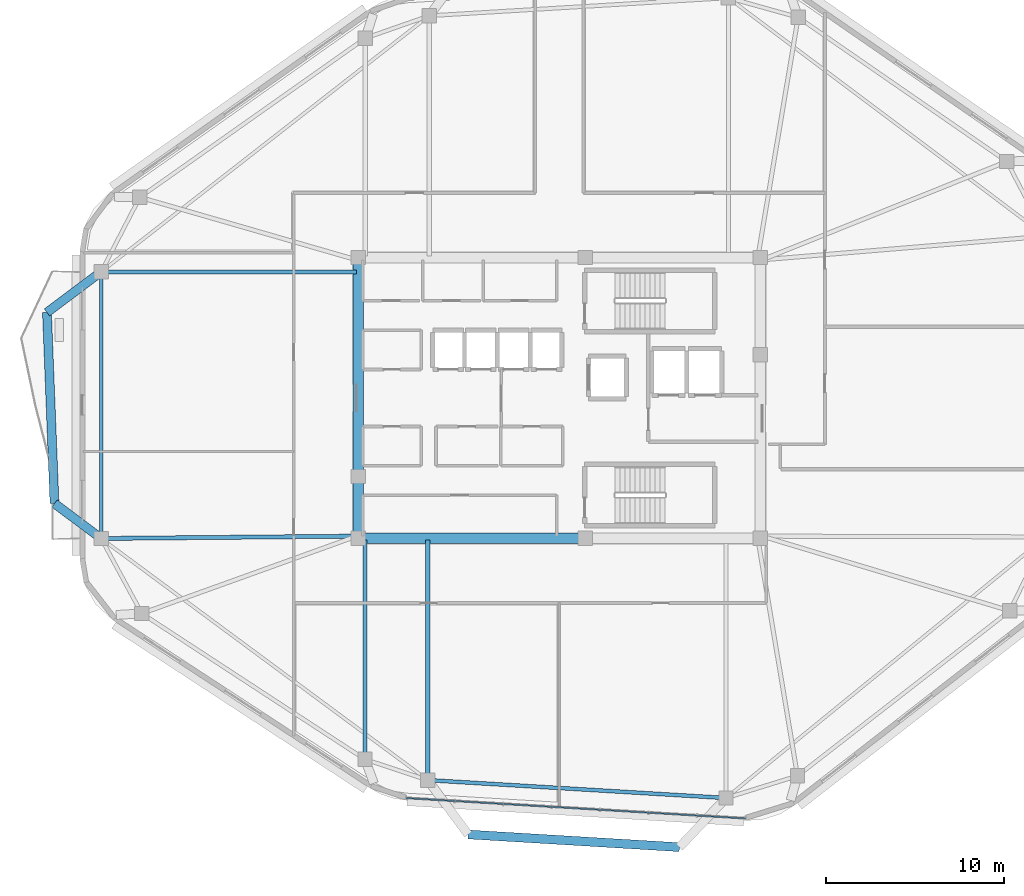
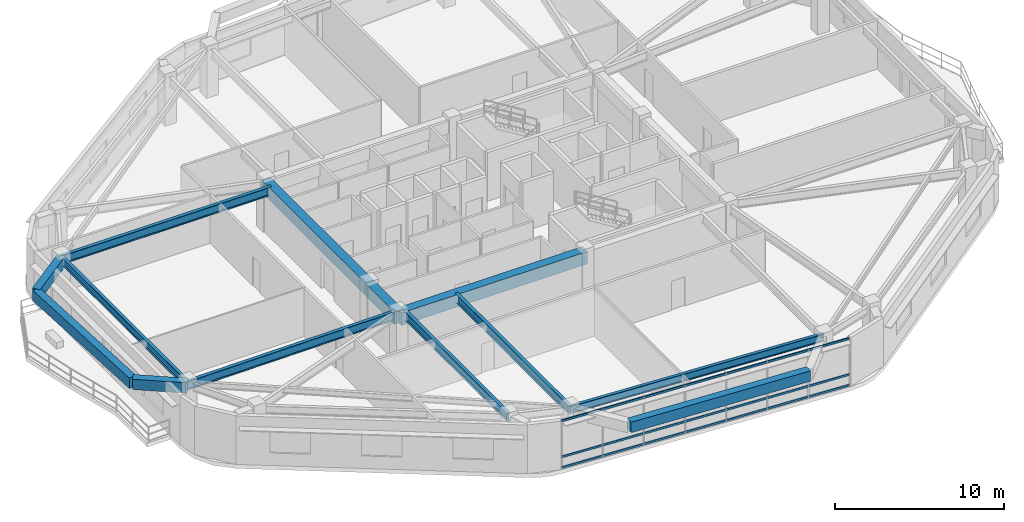
# One storey, part 3 of 12: 13 beams, 3 members, 1 element without a shape of its own.
"""IFC4 building model written with IfcOpenShell, lengths in metres."""

import ifcopenshell
import ifcopenshell.guid

model = None  # the IFC model being written
_history = None  # IfcOwnerHistory: only IFC2X3 demands one
_inside = {}  # id of a spatial element -> (the spatial element, [elements in it])
_under = {}  # id of a project, library or spatial element -> (it, [spatial elements below it])
_declared = {}  # id of a project -> (the project, [libraries it declares])
_typed = {}  # id of a type object -> (the type object, [elements of that type])
_made_of = {}  # id of a material, layer set ... -> (it, [elements and type objects made of it])


def new_model(schema):
    """Start an empty IFC model of exactly this schema.

    Asked for "IFC4X3", IfcOpenShell would pick the latest addendum, in which some entities
    have other attributes; the version numbers below select the first issue.
    IFC2X3 requires an IfcOwnerHistory on every rooted entity: one is made here for all.
    """
    global model, _history
    if schema == "IFC4X3":
        model = ifcopenshell.file(schema_version=(4, 3, 0, 0))
    else:
        model = ifcopenshell.file(schema=schema)
    _inside.clear()
    _under.clear()
    _declared.clear()
    _typed.clear()
    _made_of.clear()
    _history = None
    if model.schema == "IFC2X3":
        org = make("IfcOrganization", Name="unknown")
        user = make(
            "IfcPersonAndOrganization",
            ThePerson=make("IfcPerson", FamilyName="unknown"),
            TheOrganization=org,
        )
        app = make(
            "IfcApplication",
            ApplicationDeveloper=org,
            Version="unknown",
            ApplicationFullName="unknown",
            ApplicationIdentifier="unknown",
        )
        _history = make(
            "IfcOwnerHistory",
            OwningUser=user,
            OwningApplication=app,
            ChangeAction="ADDED",
            CreationDate=0,
        )
    return model


def make(cls, **values):
    """One entity of the class cls with the attributes given. An attribute that is None is left unset."""
    return model.create_entity(
        cls, **{name: value for name, value in values.items() if value is not None}
    )


def rooted(cls, **values):
    """An entity with a GlobalId (a new one), such as an element, a storey or a relation."""
    return make(cls, GlobalId=ifcopenshell.guid.new(), OwnerHistory=_history, **values)


def si_unit(unit_type, name, prefix=None):
    """IfcSIUnit, for example si_unit("LENGTHUNIT", "METRE", prefix="MILLI")."""
    return make("IfcSIUnit", UnitType=unit_type, Prefix=prefix, Name=name)


def assignment(units):
    """IfcUnitAssignment: the units of a project."""
    return None if units is None else make("IfcUnitAssignment", Units=units)


def point(xyz):
    """IfcCartesianPoint."""
    return None if xyz is None else make("IfcCartesianPoint", Coordinates=xyz)


def direction(xyz):
    """IfcDirection."""
    return None if xyz is None else make("IfcDirection", DirectionRatios=xyz)


def frame(location, z_axis=None, x_axis=None):
    """IfcAxis2Placement3D, a coordinate frame: its origin and axes. An axis left out is left unset."""
    return make(
        "IfcAxis2Placement3D",
        Location=point(location),
        Axis=direction(z_axis),
        RefDirection=direction(x_axis),
    )


def frame_2d(location, x_axis=None):
    """IfcAxis2Placement2D, a coordinate frame in the plane: its origin and x axis."""
    return make(
        "IfcAxis2Placement2D", Location=point(location), RefDirection=direction(x_axis)
    )


def origin():
    """The frame at (0, 0, 0) with its axes left unset."""
    return frame((0.0, 0.0, 0.0))


def origin_2d():
    """The frame at (0, 0) in the plane with its x axis left unset."""
    return frame_2d((0.0, 0.0))


def place(relative_to, where):
    """IfcLocalPlacement: puts the frame where relative to a parent placement (None: the world)."""
    return make(
        "IfcLocalPlacement", PlacementRelTo=relative_to, RelativePlacement=where
    )


def context(
    kind, dimensions, precision=None, world=None, true_north=None, identifier=None
):
    """IfcGeometricRepresentationContext, for example the 3D "Model" context."""
    return make(
        "IfcGeometricRepresentationContext",
        ContextIdentifier=identifier,
        ContextType=kind,
        CoordinateSpaceDimension=dimensions,
        Precision=precision,
        WorldCoordinateSystem=world,
        TrueNorth=true_north,
    )


def subcontext(parent, identifier, kind, view, scale=None):
    """IfcGeometricRepresentationSubContext, for example "Body" below "Model"."""
    return make(
        "IfcGeometricRepresentationSubContext",
        ContextIdentifier=identifier,
        ContextType=kind,
        ParentContext=parent,
        TargetScale=scale,
        TargetView=view,
    )


def project(units=None, contexts=None):
    """IfcProject with its units and contexts."""
    return rooted(
        "IfcProject",
        Name="project",
        RepresentationContexts=contexts,
        UnitsInContext=assignment(units),
    )


def spatial(cls, under=None, at=None, **own):
    """A site, building, storey or space (cls), placed at a placement, below another one or the project."""
    s = rooted(cls, ObjectPlacement=at, **own)
    if under is not None:
        _under.setdefault(under.id(), (under, []))[1].append(s)
    return s


def profile(cls, at=None, kind="AREA", **sizes):
    """A parametric profile (cls). Its sizes go by their IFC names, for example OverallWidth=200.0."""
    return make(cls, ProfileType=kind, Position=at, **sizes)


def rectangle(**sizes):
    """IfcRectangleProfileDef."""
    return profile("IfcRectangleProfileDef", **sizes)


def hollow_rectangle(**sizes):
    """IfcRectangleHollowProfileDef."""
    return profile("IfcRectangleHollowProfileDef", **sizes)


def i_section(**sizes):
    """IfcIShapeProfileDef."""
    return profile("IfcIShapeProfileDef", **sizes)


def extrude(swept, where, along, depth):
    """IfcExtrudedAreaSolid: the profile swept, set in the frame where, extruded along a direction by depth."""
    return make(
        "IfcExtrudedAreaSolid",
        SweptArea=swept,
        Position=where,
        ExtrudedDirection=direction(along),
        Depth=depth,
    )


def shape(context_of_items, identifier, shape_type, items):
    """IfcShapeRepresentation: the items that make up one representation, for example the "Body"."""
    return make(
        "IfcShapeRepresentation",
        ContextOfItems=context_of_items,
        RepresentationIdentifier=identifier,
        RepresentationType=shape_type,
        Items=items,
    )


def material(Name=None, Category=None):
    """IfcMaterial."""
    return make("IfcMaterial", Name=Name, Category=Category)


def material_profile(
    of_material, cross_section, Name=None, Category=None, Priority=None
):
    """IfcMaterialProfile: a cross section and its material."""
    return make(
        "IfcMaterialProfile",
        Name=Name,
        Material=of_material,
        Profile=cross_section,
        Priority=Priority,
        Category=Category,
    )


def profile_set(profiles, Name=None, composite=None):
    """IfcMaterialProfileSet."""
    return make(
        "IfcMaterialProfileSet",
        Name=Name,
        MaterialProfiles=profiles,
        CompositeProfile=composite,
    )


def made_of(thing, what):
    """Note that an element or type object is made of a material, layer set ...; save() writes the relation."""
    if what is not None:
        _made_of.setdefault(what.id(), (what, []))[1].append(thing)
    return thing


def type_object(cls, material=None, **own):
    """A type object (cls), such as IfcWallType, which elements share."""
    return made_of(rooted(cls, **own), material)


def element(
    cls,
    number,
    at=None,
    inside=None,
    cuts=None,
    type_object=None,
    material=None,
    context=None,
    identifier="Body",
    shape_type=None,
    held_by="IfcProductDefinitionShape",
    body=None,
    shapes=None,
    **own,
):
    """One element of the class cls, such as IfcWall. Its Tag is "e" and its number.

    at: its placement. inside: the storey or other place that contains it. cuts: it is an
    opening in that element (IfcRelVoidsElement). A single representation is given by context,
    identifier, shape_type and body (its items); several are given by shapes. held_by: the class
    of the entity that holds the representations. save() writes the other relations.
    """
    e = rooted(cls, Tag="e%d" % number, ObjectPlacement=at, **own)
    if body is not None:
        shapes = [shape(context, identifier, shape_type, body)]
    if shapes is not None:
        e.Representation = make(held_by, Representations=shapes)
    if inside is not None:
        _inside.setdefault(inside.id(), (inside, []))[1].append(e)
    if cuts is not None:
        rooted(
            "IfcRelVoidsElement", RelatingBuildingElement=cuts, RelatedOpeningElement=e
        )
    if type_object is not None:
        _typed.setdefault(type_object.id(), (type_object, []))[1].append(e)
    return made_of(e, material)


def aggregate(whole, parts):
    """IfcRelAggregates: a whole, such as a stair, and the parts it consists of."""
    return rooted("IfcRelAggregates", RelatingObject=whole, RelatedObjects=parts)


def save(model, path):
    """Write the relations noted so far, then the file.

    IfcRelAggregates (storeys below a building ...), IfcRelContainedInSpatialStructure (elements
    in a storey), IfcRelDefinesByType, IfcRelAssociatesMaterial and IfcRelDeclares: one each for
    every whole, place, type object, material and project.
    """
    for whole, parts in _under.values():
        aggregate(whole, parts)
    for where, things in _inside.values():
        rooted(
            "IfcRelContainedInSpatialStructure",
            RelatedElements=things,
            RelatingStructure=where,
        )
    for kind, things in _typed.values():
        rooted("IfcRelDefinesByType", RelatedObjects=things, RelatingType=kind)
    for what, things in _made_of.values():
        rooted("IfcRelAssociatesMaterial", RelatedObjects=things, RelatingMaterial=what)
    for by, libraries in _declared.values():
        rooted("IfcRelDeclares", RelatingContext=by, RelatedDefinitions=libraries)
    model.write(path)


model = new_model("IFC4")

# Units and contexts
model_context = context("Model", 3, precision=1e-05, world=origin(), true_north=direction((0.0, 1.0)))
body_context = subcontext(model_context, "Body", "Model", "MODEL_VIEW")
ifc_project = project(units=[si_unit("LENGTHUNIT", "METRE"), si_unit("AREAUNIT", "SQUARE_METRE"), si_unit("VOLUMEUNIT", "CUBIC_METRE"), si_unit("PLANEANGLEUNIT", "RADIAN"), si_unit("MASSUNIT", "GRAM", prefix="KILO")], contexts=[model_context])

# Site, building, storey
site_placement = place(None, origin())
site = spatial("IfcSite", under=ifc_project, at=site_placement, CompositionType="ELEMENT")
building_placement = place(site_placement, origin())
building = spatial("IfcBuilding", under=site, at=building_placement, Name="Zulverin Broadcast Headquarters", CompositionType="ELEMENT")
storey_placement = place(building_placement, frame((0.0, 0.0, 232.60009765625)))
storey = spatial("IfcBuildingStorey", under=building, at=storey_placement, Name="L59", CompositionType="ELEMENT", Elevation=232.60009765625)

# Beams
ifc_material_1 = material(Name="Concrete C60/75", Category="concrete")
ifc_material_profile_1 = material_profile(ifc_material_1, rectangle(XDim=0.60009765625, YDim=0.89990234375, at=origin_2d()), Name="Concrete C60/75", Category="concrete")
ifc_profile_set_1 = profile_set([ifc_material_profile_1], Name="Concrete C60/75")
beam_type_1 = type_object("IfcBeamType", Name="BM-CB-600x900", PredefinedType="LINTEL", material=ifc_profile_set_1)
beam_1_placement = place(storey_placement, frame((25.72509765625, 17.324951171875, 3.059814453125), z_axis=(1.0, 0.0, 0.0), x_axis=(0.0, 1.0, 0.0)))
element("IfcBeam", 1, at=beam_1_placement, inside=storey, type_object=beam_type_1, Name="L59 Core Coupling Girder K01-K02", PredefinedType="LINTEL", context=body_context, shape_type="SweptSolid", body=[
    extrude(rectangle(XDim=0.60009765625, YDim=0.89990234375, at=origin_2d()), origin(), (0.0, 0.0, 1.0), 12.724853515625),
])
beam_2_placement = place(storey_placement, frame((25.72509765625, 33.074951171875, 3.059814453125), z_axis=(0.0, -1.0, 0.0), x_axis=(1.0, 0.0, 0.0)))
element("IfcBeam", 2, at=beam_2_placement, inside=storey, type_object=beam_type_1, Name="L59 Core Coupling Girder K07-K08", PredefinedType="LINTEL", context=body_context, shape_type="SweptSolid", body=[
    extrude(rectangle(XDim=0.60009765625, YDim=0.89990234375, at=origin_2d()), origin(), (0.0, 0.0, 1.0), 12.27490234375),
])
beam_3_placement = place(storey_placement, frame((25.72509765625, 20.800048828125, 3.059814453125), z_axis=(0.0, -1.0, 0.0), x_axis=(1.0, 0.0, 0.0)))
element("IfcBeam", 3, at=beam_3_placement, inside=storey, type_object=beam_type_1, Name="L59 Core Coupling Girder K08-K01", PredefinedType="LINTEL", context=body_context, shape_type="SweptSolid", body=[
    extrude(rectangle(XDim=0.60009765625, YDim=0.89990234375, at=origin_2d()), origin(), (0.0, 0.0, 1.0), 3.47509765625),
])
ifc_material_2 = material(Name="Concrete C40/50", Category="concrete")
ifc_material_profile_2 = material_profile(ifc_material_2, rectangle(XDim=0.5, YDim=0.75, at=origin_2d()), Name="Concrete C40/50", Category="concrete")
ifc_profile_set_2 = profile_set([ifc_material_profile_2], Name="Concrete C40/50")
beam_type_2 = type_object("IfcBeamType", Name="BM-RC-500x750", PredefinedType="BEAM", material=ifc_profile_set_2)
beam_4_placement = place(storey_placement, frame((11.300048828125, 32.275390625, 3.135009765625), z_axis=(-0.80024663654, -0.599671010394, 0.0), x_axis=(0.599671010394, -0.80024663654, 0.0)))
element("IfcBeam", 4, at=beam_4_placement, inside=storey, type_object=beam_type_2, Name="L60 Balcony Column-Framed Cantilever BAL_W-1", PredefinedType="BEAM", context=body_context, shape_type="SweptSolid", body=[
    extrude(rectangle(XDim=0.5, YDim=0.75, at=origin_2d()), origin(), (0.0, 0.0, 1.0), 3.800048828125),
])
beam_5_placement = place(storey_placement, frame((11.300048828125, 17.318603515625, 3.135009765625), z_axis=(-0.800250474568, 0.599665888602, 0.0), x_axis=(-0.599665888602, -0.800250474568, 0.0)))
element("IfcBeam", 5, at=beam_5_placement, inside=storey, type_object=beam_type_2, Name="L60 Balcony Column-Framed Cantilever BAL_W-2", PredefinedType="BEAM", context=body_context, shape_type="SweptSolid", body=[
    extrude(rectangle(XDim=0.5, YDim=0.75, at=origin_2d()), origin(), (0.0, 0.0, 1.0), 3.274169921875),
])
beam_6_placement = place(storey_placement, frame((8.259033203125, 29.99658203125, 3.135009765625), z_axis=(0.039252429165, -0.999229326433, 0.0), x_axis=(0.999229326433, 0.039252429165, 0.0)))
element("IfcBeam", 6, at=beam_6_placement, inside=storey, type_object=beam_type_2, Name="L60 Balcony Outer Edge Trimmer Beam BAL_W", PredefinedType="BEAM", context=body_context, shape_type="SweptSolid", body=[
    extrude(rectangle(XDim=0.5, YDim=0.75, at=origin_2d()), origin(), (0.0, 0.0, 1.0), 10.722900390625),
])
beam_7_placement = place(storey_placement, frame((31.887939453125, 0.71484375, 3.135009765625), z_axis=(0.998198519408, -0.059997632052, 0.0), x_axis=(0.059997632052, 0.998198519408, 0.0)))
element("IfcBeam", 7, at=beam_7_placement, inside=storey, type_object=beam_type_2, Name="L60 Balcony Outer Edge Trimmer Beam BAL_S", PredefinedType="BEAM", context=body_context, shape_type="SweptSolid", body=[
    extrude(rectangle(XDim=0.5, YDim=0.75, at=origin_2d()), origin(), (0.0, 0.0, 1.0), 11.869873046875),
])
ifc_material_3 = material(Name="Structural steel S355JR", Category="steel")
ifc_material_profile_3 = material_profile(ifc_material_3, i_section(OverallWidth=0.2119140625, OverallDepth=0.54443359375, WebThickness=0.0126953125, FlangeThickness=0.021240234375, at=origin_2d()), Name="Structural steel S355JR", Category="steel")
ifc_profile_set_3 = profile_set([ifc_material_profile_3], Name="Structural steel S355JR")
beam_type_3 = type_object("IfcBeamType", Name="BM-UB-533", PredefinedType="SPANDREL", material=ifc_profile_set_3)
beam_8_placement = place(storey_placement, frame((29.6220703125, 3.763671875, 3.237548828125), z_axis=(0.998203486609, -0.059914934044, 0.0), x_axis=(0.059914934044, 0.998203486609, 0.0)))
element("IfcBeam", 8, at=beam_8_placement, inside=storey, type_object=beam_type_3, Name="L59 Perimeter Spandrel Beam SP-01", PredefinedType="SPANDREL", context=body_context, shape_type="SweptSolid", body=[
    extrude(i_section(OverallWidth=0.2119140625, OverallDepth=0.54443359375, WebThickness=0.0126953125, FlangeThickness=0.021240234375, at=origin_2d()), origin(), (0.0, 0.0, 1.0), 16.759521484375),
])
beam_9_placement = place(storey_placement, frame((11.300048828125, 32.275390625, 3.237548828125), z_axis=(0.0, -1.0, 0.0), x_axis=(1.0, 0.0, 0.0)))
element("IfcBeam", 9, at=beam_9_placement, inside=storey, type_object=beam_type_3, Name="L59 Perimeter Spandrel Beam SP-13", PredefinedType="SPANDREL", context=body_context, shape_type="SweptSolid", body=[
    extrude(i_section(OverallWidth=0.2119140625, OverallDepth=0.54443359375, WebThickness=0.0126953125, FlangeThickness=0.021240234375, at=origin_2d()), origin(), (0.0, 0.0, 1.0), 14.956787109375),
])
ifc_material_profile_4 = material_profile(ifc_material_3, i_section(OverallWidth=0.230224609375, OverallDepth=0.6171875, WebThickness=0.01318359375, FlangeThickness=0.022216796875, at=origin_2d()), Name="Structural steel S355JR", Category="steel")
ifc_profile_set_4 = profile_set([ifc_material_profile_4], Name="Structural steel S355JR")
beam_type_4 = type_object("IfcBeamType", Name="BM-UB-610", PredefinedType="BEAM", material=ifc_profile_set_4)
beam_10_placement = place(storey_placement, frame((29.6220703125, 17.22509765625, 3.201416015625), z_axis=(0.0, -1.0, 0.0), x_axis=(1.0, 0.0, 0.0)))
element("IfcBeam", 10, at=beam_10_placement, inside=storey, type_object=beam_type_4, Name="L59 Radial Primary Floor Beam RB-01", PredefinedType="BEAM", context=body_context, shape_type="SweptSolid", body=[
    extrude(i_section(OverallWidth=0.230224609375, OverallDepth=0.6171875, WebThickness=0.01318359375, FlangeThickness=0.022216796875, at=origin_2d()), origin(), (0.0, 0.0, 1.0), 13.46142578125),
])
beam_11_placement = place(storey_placement, frame((25.625, 32.275390625, 3.201416015625), z_axis=(-1.0, 0.0, 0.0), x_axis=(0.0, -1.0, 0.0)))
element("IfcBeam", 11, at=beam_11_placement, inside=storey, type_object=beam_type_4, Name="L59 Radial Primary Floor Beam RB-13", PredefinedType="BEAM", context=body_context, shape_type="SweptSolid", body=[
    extrude(i_section(OverallWidth=0.230224609375, OverallDepth=0.6171875, WebThickness=0.01318359375, FlangeThickness=0.022216796875, at=origin_2d()), origin(), (0.0, 0.0, 1.0), 14.324951171875),
])
beam_12_placement = place(storey_placement, frame((25.625, 17.449951171875, 3.201416015625), z_axis=(-0.999957965975, -0.009168766693, 0.0), x_axis=(0.009168766693, -0.999957965975, 0.0)))
element("IfcBeam", 12, at=beam_12_placement, inside=storey, type_object=beam_type_4, Name="L59 Radial Primary Floor Beam RB-14", PredefinedType="BEAM", context=body_context, shape_type="SweptSolid", body=[
    extrude(i_section(OverallWidth=0.230224609375, OverallDepth=0.6171875, WebThickness=0.01318359375, FlangeThickness=0.022216796875, at=origin_2d()), origin(), (0.0, 0.0, 1.0), 14.325439453125),
])
beam_13_placement = place(storey_placement, frame((26.098876953125, 17.22509765625, 3.201416015625), z_axis=(0.0, -1.0, 0.0), x_axis=(1.0, 0.0, 0.0)))
element("IfcBeam", 13, at=beam_13_placement, inside=storey, type_object=beam_type_4, Name="L59 Radial Primary Floor Beam RB-16", PredefinedType="BEAM", context=body_context, shape_type="SweptSolid", body=[
    extrude(i_section(OverallWidth=0.230224609375, OverallDepth=0.6171875, WebThickness=0.01318359375, FlangeThickness=0.022216796875, at=origin_2d()), origin(), (0.0, 0.0, 1.0), 12.29638671875),
])

# Curtain wall, members
ifc_material_4 = material(Name="High-zone solar-control unitised curtain wall", Category="aluminium")
curtain_wall_type = type_object("IfcCurtainWallType", Name="CW-TWR-UPP", PredefinedType="USERDEFINED", material=ifc_material_4)
curtain_wall_placement = place(storey_placement, origin())
curtain_wall = element("IfcCurtainWall", 14, at=curtain_wall_placement, inside=storey, type_object=curtain_wall_type, Name="L59 Unitised Curtain Wall CW-L59-E1", ObjectType="UNITISED CURTAIN WALL", PredefinedType="USERDEFINED")
ifc_material_5 = material(Name="Anodized pale-metal aluminium alloy 6063-T6", Category="aluminium")
ifc_material_profile_5 = material_profile(ifc_material_5, hollow_rectangle(XDim=0.074951171875, YDim=0.14990234375, WallThickness=0.0048828125, at=origin_2d()), Name="Anodized pale-metal aluminium alloy 6063-T6", Category="aluminium")
ifc_profile_set_5 = profile_set([ifc_material_profile_5], Name="Anodized pale-metal aluminium alloy 6063-T6")
member_type = type_object("IfcMemberType", Name="CW-TRN-150", PredefinedType="USERDEFINED", material=ifc_profile_set_5)
member_1_placement = place(storey_placement, frame((28.409423828125, 2.754638671875, 0.074951171875), z_axis=(0.998202302109, -0.059934664967, 0.0), x_axis=(0.059934664967, 0.998202302109, 0.0)))
member_1 = element("IfcMember", 15, at=member_1_placement, type_object=member_type, Name="CW-L59-E1 Transom 0", ObjectType="TRANSOM", PredefinedType="USERDEFINED", context=body_context, shape_type="SweptSolid", body=[
    extrude(hollow_rectangle(XDim=0.074951171875, YDim=0.14990234375, WallThickness=0.0048828125, at=origin_2d()), origin(), (0.0, 0.0, 1.0), 19.0595703125),
])
member_2_placement = place(storey_placement, frame((28.409423828125, 2.754638671875, 0.84228515625), z_axis=(0.998202302109, -0.059934664967, 0.0), x_axis=(0.059934664967, 0.998202302109, 0.0)))
member_2 = element("IfcMember", 16, at=member_2_placement, type_object=member_type, Name="CW-L59-E1 Transom 1", ObjectType="TRANSOM", PredefinedType="USERDEFINED", context=body_context, shape_type="SweptSolid", body=[
    extrude(hollow_rectangle(XDim=0.074951171875, YDim=0.14990234375, WallThickness=0.0048828125, at=origin_2d()), origin(), (0.0, 0.0, 1.0), 19.0595703125),
])
member_3_placement = place(storey_placement, frame((28.409423828125, 2.754638671875, 3.434814453125), z_axis=(0.998202302109, -0.059934664967, 0.0), x_axis=(0.059934664967, 0.998202302109, 0.0)))
member_3 = element("IfcMember", 17, at=member_3_placement, type_object=member_type, Name="CW-L59-E1 Transom 2", ObjectType="TRANSOM", PredefinedType="USERDEFINED", context=body_context, shape_type="SweptSolid", body=[
    extrude(hollow_rectangle(XDim=0.074951171875, YDim=0.14990234375, WallThickness=0.0048828125, at=origin_2d()), origin(), (0.0, 0.0, 1.0), 19.0595703125),
])
aggregate(curtain_wall, [member_1, member_2, member_3])

save(model, "model.ifc")
